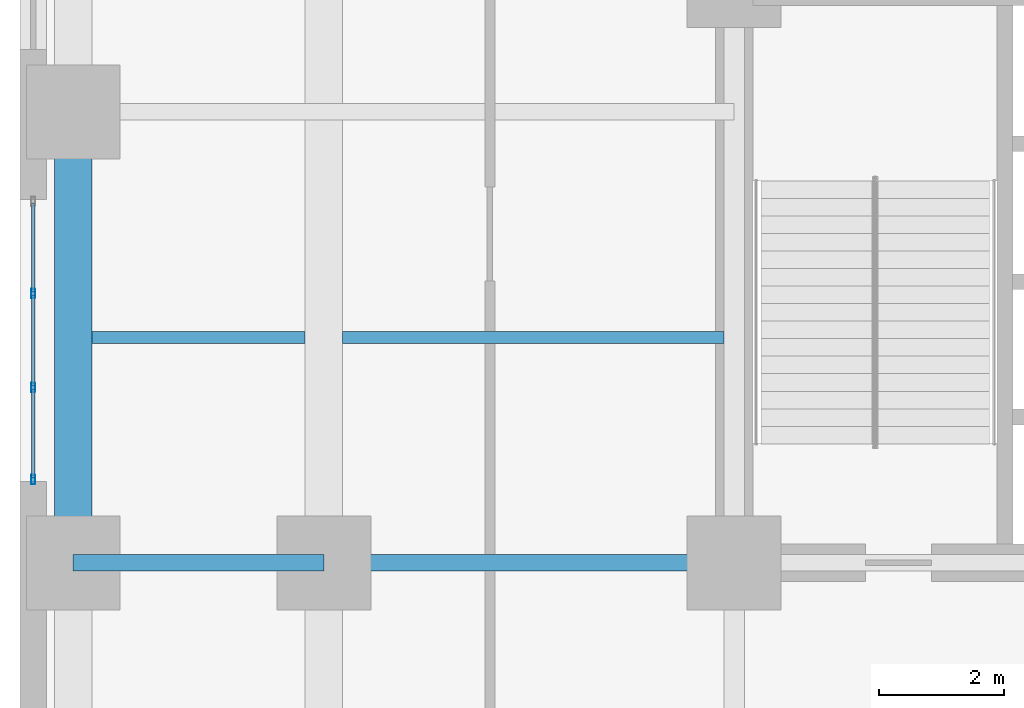
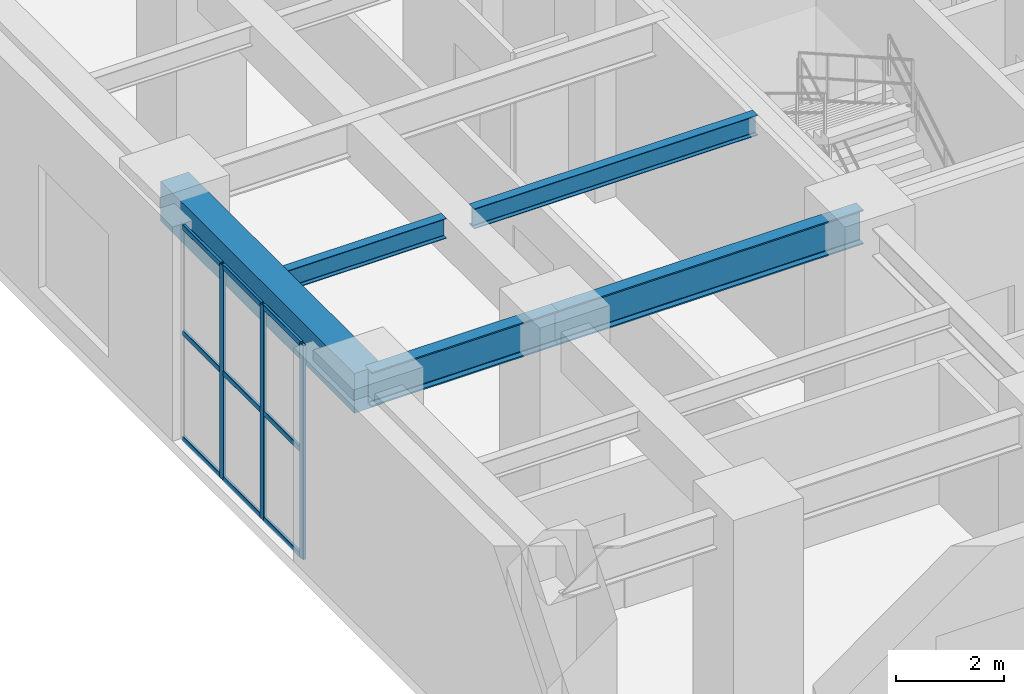
# One storey, part 4 of 23: 12 members, 5 beams, 1 element without a shape of its own.
"""IFC4 building model written with IfcOpenShell, lengths in metres."""

from ifc_helpers import new_model, entity, si_unit, converted_unit, direction, frame, origin_with_axes, origin_2d_with_axis, place, context, subcontext, project, spatial, rectangle, hollow_rectangle, i_section, extrude, material, material_profile, profile_set, type_object, element, aggregate, save


model = new_model("IFC4")

# Units and contexts
model_context = context("Model", 3, precision=1e-05, world=origin_with_axes(), true_north=direction((0.0, 1.0)))
body_context = subcontext(model_context, "Body", "Model", "MODEL_VIEW")
ifc_project = project(units=[si_unit("LENGTHUNIT", "METRE"), si_unit("AREAUNIT", "SQUARE_METRE"), si_unit("VOLUMEUNIT", "CUBIC_METRE"), converted_unit("PLANEANGLEUNIT", "DEGREE", entity("IfcPlaneAngleMeasure", 0.017453292519943295), si_unit("PLANEANGLEUNIT", "RADIAN"), dimensions=[0, 0, 0, 0, 0, 0, 0]), si_unit("MASSUNIT", "GRAM", prefix="KILO"), si_unit("THERMODYNAMICTEMPERATUREUNIT", "KELVIN")], contexts=[model_context])

# Site, building, storey
site_placement = place(None, origin_with_axes())
site = spatial("IfcSite", under=ifc_project, at=site_placement, CompositionType="ELEMENT")
building_placement = place(site_placement, origin_with_axes())
building = spatial("IfcBuilding", under=site, at=building_placement, Name="Varnlund Millrace Tower", CompositionType="ELEMENT")
storey_placement = place(building_placement, frame((0.0, 0.0, 5.7), z_axis=(0.0, 0.0, 1.0), x_axis=(1.0, 0.0, 0.0)))
storey = spatial("IfcBuildingStorey", under=building, at=storey_placement, Name="L01", CompositionType="ELEMENT", Elevation=5.7)

# Curtain wall, members
ifc_material_1 = material(Name="Thermally broken architectural bronze curtain wall", Category="aluminium")
curtain_wall_type = type_object("IfcCurtainWallType", Name="Type-CW-Sys2-Skyway", PredefinedType="NOTDEFINED", material=ifc_material_1)
curtain_wall_placement = place(storey_placement, frame((0.21, 12.1, 0.0), z_axis=(0.0, 0.0, 1.0), x_axis=(1.0, 0.0, 0.0)))
curtain_wall = element("IfcCurtainWall", 1, at=curtain_wall_placement, inside=storey, type_object=curtain_wall_type, Name="Type-CW-Sys2-Skyway", PredefinedType="NOTDEFINED")
ifc_material_2 = material(Name="Architectural bronze aluminium alloy 6063-T6", Category="aluminium")
ifc_material_profile_1 = material_profile(ifc_material_2, hollow_rectangle(XDim=0.06, YDim=0.15, WallThickness=0.004, InnerFilletRadius=0.004, OuterFilletRadius=0.008, at=origin_2d_with_axis()), Name="Architectural bronze aluminium alloy 6063-T6")
ifc_profile_set_1 = profile_set([ifc_material_profile_1], Name="Architectural bronze aluminium alloy 6063-T6")
member_type_1 = type_object("IfcMemberType", Name="Type-CW-Mullion-60X150", PredefinedType="MULLION", material=ifc_profile_set_1)
member_1_placement = place(storey_placement, frame((0.21, 12.13, 0.0), z_axis=(0.0, 0.0, 1.0), x_axis=(-1.0, 0.0, 0.0)))
member_1 = element("IfcMember", 2, at=member_1_placement, type_object=member_type_1, Name="CW-02 mullion 1", PredefinedType="MULLION", context=body_context, shape_type="SweptSolid", body=[
    extrude(hollow_rectangle(XDim=0.06, YDim=0.15, WallThickness=0.004, InnerFilletRadius=0.004, OuterFilletRadius=0.008, at=origin_2d_with_axis()), origin_with_axes(), (0.0, 0.0, 1.0), 4.86),
])
member_2_placement = place(storey_placement, frame((0.21, 13.6, 0.0), z_axis=(0.0, 0.0, 1.0), x_axis=(-1.0, 0.0, 0.0)))
member_2 = element("IfcMember", 3, at=member_2_placement, type_object=member_type_1, Name="CW-02 mullion 2", PredefinedType="MULLION", context=body_context, shape_type="SweptSolid", body=[
    extrude(hollow_rectangle(XDim=0.06, YDim=0.15, WallThickness=0.004, InnerFilletRadius=0.004, OuterFilletRadius=0.008, at=origin_2d_with_axis()), origin_with_axes(), (0.0, 0.0, 1.0), 4.86),
])
member_3_placement = place(storey_placement, frame((0.21, 15.1, 0.0), z_axis=(0.0, 0.0, 1.0), x_axis=(-1.0, 0.0, 0.0)))
member_3 = element("IfcMember", 4, at=member_3_placement, type_object=member_type_1, Name="CW-02 mullion 3", PredefinedType="MULLION", context=body_context, shape_type="SweptSolid", body=[
    extrude(hollow_rectangle(XDim=0.06, YDim=0.15, WallThickness=0.004, InnerFilletRadius=0.004, OuterFilletRadius=0.008, at=origin_2d_with_axis()), origin_with_axes(), (0.0, 0.0, 1.0), 4.86),
])
ifc_material_profile_2 = material_profile(ifc_material_2, hollow_rectangle(XDim=0.06, YDim=0.12, WallThickness=0.004, InnerFilletRadius=0.004, OuterFilletRadius=0.008, at=origin_2d_with_axis()), Name="Architectural bronze aluminium alloy 6063-T6")
ifc_profile_set_2 = profile_set([ifc_material_profile_2], Name="Architectural bronze aluminium alloy 6063-T6")
member_type_2 = type_object("IfcMemberType", Name="Type-CW-Transom-60X120", PredefinedType="USERDEFINED", material=ifc_profile_set_2)
member_4_placement = place(storey_placement, frame((0.21, 12.16, 0.03), z_axis=(0.0, 1.0, 0.0), x_axis=(-1.0, 0.0, 0.0)))
member_4 = element("IfcMember", 5, at=member_4_placement, type_object=member_type_2, Name="CW-02 transom 1.1", ObjectType="TRANSOM", PredefinedType="USERDEFINED", context=body_context, shape_type="SweptSolid", body=[
    extrude(hollow_rectangle(XDim=0.06, YDim=0.12, WallThickness=0.004, InnerFilletRadius=0.004, OuterFilletRadius=0.008, at=origin_2d_with_axis()), origin_with_axes(), (0.0, 0.0, 1.0), 1.41),
])
member_5_placement = place(storey_placement, frame((0.21, 12.16, 2.43), z_axis=(0.0, 1.0, 0.0), x_axis=(-1.0, 0.0, 0.0)))
member_5 = element("IfcMember", 6, at=member_5_placement, type_object=member_type_2, Name="CW-02 transom 1.2", ObjectType="TRANSOM", PredefinedType="USERDEFINED", context=body_context, shape_type="SweptSolid", body=[
    extrude(hollow_rectangle(XDim=0.06, YDim=0.12, WallThickness=0.004, InnerFilletRadius=0.004, OuterFilletRadius=0.008, at=origin_2d_with_axis()), origin_with_axes(), (0.0, 0.0, 1.0), 1.41),
])
member_6_placement = place(storey_placement, frame((0.21, 12.16, 4.83), z_axis=(0.0, 1.0, 0.0), x_axis=(-1.0, 0.0, 0.0)))
member_6 = element("IfcMember", 7, at=member_6_placement, type_object=member_type_2, Name="CW-02 transom 1.3", ObjectType="TRANSOM", PredefinedType="USERDEFINED", context=body_context, shape_type="SweptSolid", body=[
    extrude(hollow_rectangle(XDim=0.06, YDim=0.12, WallThickness=0.004, InnerFilletRadius=0.004, OuterFilletRadius=0.008, at=origin_2d_with_axis()), origin_with_axes(), (0.0, 0.0, 1.0), 1.41),
])
member_7_placement = place(storey_placement, frame((0.21, 13.63, 0.03), z_axis=(0.0, 1.0, 0.0), x_axis=(-1.0, 0.0, 0.0)))
member_7 = element("IfcMember", 8, at=member_7_placement, type_object=member_type_2, Name="CW-02 transom 2.1", ObjectType="TRANSOM", PredefinedType="USERDEFINED", context=body_context, shape_type="SweptSolid", body=[
    extrude(hollow_rectangle(XDim=0.06, YDim=0.12, WallThickness=0.004, InnerFilletRadius=0.004, OuterFilletRadius=0.008, at=origin_2d_with_axis()), origin_with_axes(), (0.0, 0.0, 1.0), 1.44),
])
member_8_placement = place(storey_placement, frame((0.21, 13.63, 2.43), z_axis=(0.0, 1.0, 0.0), x_axis=(-1.0, 0.0, 0.0)))
member_8 = element("IfcMember", 9, at=member_8_placement, type_object=member_type_2, Name="CW-02 transom 2.2", ObjectType="TRANSOM", PredefinedType="USERDEFINED", context=body_context, shape_type="SweptSolid", body=[
    extrude(hollow_rectangle(XDim=0.06, YDim=0.12, WallThickness=0.004, InnerFilletRadius=0.004, OuterFilletRadius=0.008, at=origin_2d_with_axis()), origin_with_axes(), (0.0, 0.0, 1.0), 1.44),
])
member_9_placement = place(storey_placement, frame((0.21, 13.63, 4.83), z_axis=(0.0, 1.0, 0.0), x_axis=(-1.0, 0.0, 0.0)))
member_9 = element("IfcMember", 10, at=member_9_placement, type_object=member_type_2, Name="CW-02 transom 2.3", ObjectType="TRANSOM", PredefinedType="USERDEFINED", context=body_context, shape_type="SweptSolid", body=[
    extrude(hollow_rectangle(XDim=0.06, YDim=0.12, WallThickness=0.004, InnerFilletRadius=0.004, OuterFilletRadius=0.008, at=origin_2d_with_axis()), origin_with_axes(), (0.0, 0.0, 1.0), 1.44),
])
member_10_placement = place(storey_placement, frame((0.21, 15.13, 0.03), z_axis=(0.0, 1.0, 0.0), x_axis=(-1.0, 0.0, 0.0)))
member_10 = element("IfcMember", 11, at=member_10_placement, type_object=member_type_2, Name="CW-02 transom 3.1", ObjectType="TRANSOM", PredefinedType="USERDEFINED", context=body_context, shape_type="SweptSolid", body=[
    extrude(hollow_rectangle(XDim=0.06, YDim=0.12, WallThickness=0.004, InnerFilletRadius=0.004, OuterFilletRadius=0.008, at=origin_2d_with_axis()), origin_with_axes(), (0.0, 0.0, 1.0), 1.41),
])
member_11_placement = place(storey_placement, frame((0.21, 15.13, 2.43), z_axis=(0.0, 1.0, 0.0), x_axis=(-1.0, 0.0, 0.0)))
member_11 = element("IfcMember", 12, at=member_11_placement, type_object=member_type_2, Name="CW-02 transom 3.2", ObjectType="TRANSOM", PredefinedType="USERDEFINED", context=body_context, shape_type="SweptSolid", body=[
    extrude(hollow_rectangle(XDim=0.06, YDim=0.12, WallThickness=0.004, InnerFilletRadius=0.004, OuterFilletRadius=0.008, at=origin_2d_with_axis()), origin_with_axes(), (0.0, 0.0, 1.0), 1.41),
])
member_12_placement = place(storey_placement, frame((0.21, 15.13, 4.83), z_axis=(0.0, 1.0, 0.0), x_axis=(-1.0, 0.0, 0.0)))
member_12 = element("IfcMember", 13, at=member_12_placement, type_object=member_type_2, Name="CW-02 transom 3.3", ObjectType="TRANSOM", PredefinedType="USERDEFINED", context=body_context, shape_type="SweptSolid", body=[
    extrude(hollow_rectangle(XDim=0.06, YDim=0.12, WallThickness=0.004, InnerFilletRadius=0.004, OuterFilletRadius=0.008, at=origin_2d_with_axis()), origin_with_axes(), (0.0, 0.0, 1.0), 1.41),
])
aggregate(curtain_wall, [member_1, member_2, member_3, member_4, member_5, member_6, member_7, member_8, member_9, member_10, member_11, member_12])

# Beams
ifc_material_3 = material(Name="Steel ASTM A992 Grade 50", Category="steel")
ifc_material_profile_3 = material_profile(ifc_material_3, i_section(OverallWidth=0.266, OverallDepth=0.779, WebThickness=0.0165, FlangeThickness=0.03, FilletRadius=0.02, at=origin_2d_with_axis()), Name="Steel ASTM A992 Grade 50")
ifc_profile_set_3 = profile_set([ifc_material_profile_3], Name="Steel ASTM A992 Grade 50")
beam_type_1 = type_object("IfcBeamType", Name="Type-Girder-W30X148", PredefinedType="USERDEFINED", material=ifc_profile_set_3)
beam_1_placement = place(storey_placement, frame((0.85, 10.8, 4.4705), z_axis=(1.0, 0.0, 0.0), x_axis=(0.0, 1.0, 0.0)))
element("IfcBeam", 14, at=beam_1_placement, inside=storey, type_object=beam_type_1, Name="Type-Girder-W30X148", ObjectType="GIRDER", PredefinedType="USERDEFINED", context=body_context, shape_type="SweptSolid", body=[
    extrude(i_section(OverallWidth=0.266, OverallDepth=0.779, WebThickness=0.0165, FlangeThickness=0.03, FilletRadius=0.02, at=origin_2d_with_axis()), origin_with_axes(), (0.0, 0.0, 1.0), 4.0),
])
beam_2_placement = place(storey_placement, frame((4.85, 10.8, 4.4705), z_axis=(1.0, 0.0, 0.0), x_axis=(0.0, 1.0, 0.0)))
element("IfcBeam", 15, at=beam_2_placement, inside=storey, type_object=beam_type_1, Name="Type-Girder-W30X148", ObjectType="GIRDER", PredefinedType="USERDEFINED", context=body_context, shape_type="SweptSolid", body=[
    extrude(i_section(OverallWidth=0.266, OverallDepth=0.779, WebThickness=0.0165, FlangeThickness=0.03, FilletRadius=0.02, at=origin_2d_with_axis()), origin_with_axes(), (0.0, 0.0, 1.0), 6.55),
])
ifc_material_profile_4 = material_profile(ifc_material_3, i_section(OverallWidth=0.191, OverallDepth=0.457, WebThickness=0.009, FlangeThickness=0.0145, FilletRadius=0.013, at=origin_2d_with_axis()), Name="Steel ASTM A992 Grade 50")
ifc_profile_set_4 = profile_set([ifc_material_profile_4], Name="Steel ASTM A992 Grade 50")
beam_type_2 = type_object("IfcBeamType", Name="Type-Joist-W18X50", PredefinedType="JOIST", material=ifc_profile_set_4)
beam_3_placement = place(storey_placement, frame((1.15, 14.4, 4.6315), z_axis=(1.0, 0.0, 0.0), x_axis=(0.0, 1.0, 0.0)))
element("IfcBeam", 16, at=beam_3_placement, inside=storey, type_object=beam_type_2, Name="Type-Joist-W18X50", PredefinedType="JOIST", context=body_context, shape_type="SweptSolid", body=[
    extrude(i_section(OverallWidth=0.191, OverallDepth=0.457, WebThickness=0.009, FlangeThickness=0.0145, FilletRadius=0.013, at=origin_2d_with_axis()), origin_with_axes(), (0.0, 0.0, 1.0), 3.4),
])
beam_4_placement = place(storey_placement, frame((5.15, 14.4, 4.6315), z_axis=(1.0, 0.0, 0.0), x_axis=(0.0, 1.0, 0.0)))
element("IfcBeam", 17, at=beam_4_placement, inside=storey, type_object=beam_type_2, Name="Type-Joist-W18X50", PredefinedType="JOIST", context=body_context, shape_type="SweptSolid", body=[
    extrude(i_section(OverallWidth=0.191, OverallDepth=0.457, WebThickness=0.009, FlangeThickness=0.0145, FilletRadius=0.013, at=origin_2d_with_axis()), origin_with_axes(), (0.0, 0.0, 1.0), 6.086),
])
ifc_material_4 = material(Name="Concrete C70/85", Category="concrete")
ifc_material_profile_5 = material_profile(ifc_material_4, rectangle(XDim=0.6, YDim=0.9, at=origin_2d_with_axis()), Name="Concrete C70/85")
ifc_profile_set_5 = profile_set([ifc_material_profile_5], Name="Concrete C70/85")
beam_type_3 = type_object("IfcBeamType", Name="Type-Spandrel-RC600X900", PredefinedType="SPANDREL", material=ifc_profile_set_5)
beam_5_placement = place(storey_placement, frame((0.85, 10.8, 4.41), z_axis=(0.0, 1.0, 0.0), x_axis=(-1.0, 0.0, 0.0)))
element("IfcBeam", 18, at=beam_5_placement, inside=storey, type_object=beam_type_3, Name="Type-Spandrel-RC600X900", PredefinedType="SPANDREL", context=body_context, shape_type="SweptSolid", body=[
    extrude(rectangle(XDim=0.6, YDim=0.9, at=origin_2d_with_axis()), origin_with_axes(), (0.0, 0.0, 1.0), 7.2),
])

save(model, "model.ifc")
